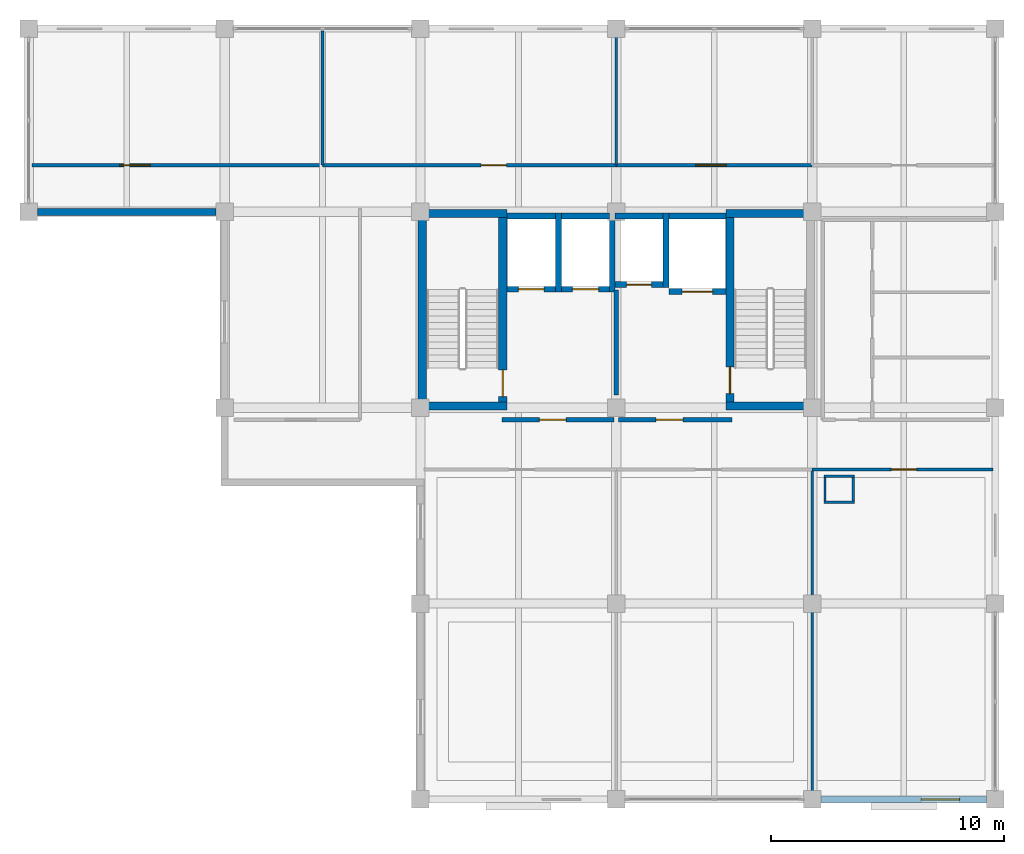
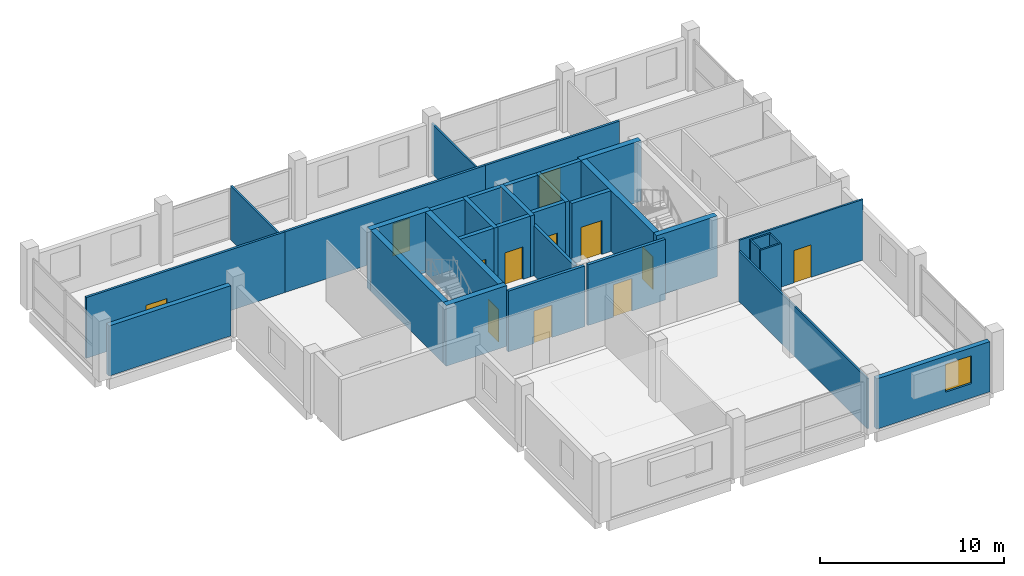
# One storey, part 7 of 9: 34 walls, 12 doors, 1 window, 13 openings.
"""IFC4 building model written with IfcOpenShell, lengths in metres."""

from ifc_helpers import new_model, si_unit, direction, frame, frame_2d, origin, place, context, subcontext, project, spatial, rectangle, extrude, material, layer, layer_set, type_object, element, fill, save


model = new_model("IFC4")

# Units and contexts
model_context = context("Model", 3, precision=1e-05, world=origin(), true_north=direction((0.0, 1.0)))
body_context = subcontext(model_context, "Body", "Model", "MODEL_VIEW")
ifc_project = project(units=[si_unit("LENGTHUNIT", "METRE"), si_unit("AREAUNIT", "SQUARE_METRE"), si_unit("VOLUMEUNIT", "CUBIC_METRE"), si_unit("PLANEANGLEUNIT", "RADIAN"), si_unit("MASSUNIT", "GRAM", prefix="KILO")], contexts=[model_context])

# Site, building, storey
site_placement = place(None, origin())
site = spatial("IfcSite", under=ifc_project, at=site_placement, CompositionType="ELEMENT")
building_placement = place(site_placement, origin())
building = spatial("IfcBuilding", under=site, at=building_placement, Name="Brinegate Botanical Conservatory", CompositionType="ELEMENT")
storey_placement = place(building_placement, frame((0.0, 0.0, 52.800048828125)))
storey = spatial("IfcBuildingStorey", under=building, at=storey_placement, Name="L13", CompositionType="ELEMENT", Elevation=52.800048828125)

# Wall, opening, window
ifc_material_1 = material(Name="Insulated Minnan red clay brick masonry", Category="masonry")
ifc_layer_1 = layer(ifc_material_1, 0.300048828125, Name="Insulated Minnan red clay brick masonry", Category="masonry")
ifc_layer_set_1 = layer_set([ifc_layer_1], Name="Insulated Minnan red clay brick masonry")
wall_type_1 = type_object("IfcWallType", Name="Wall_EW-300B", PredefinedType="STANDARD", material=ifc_layer_set_1)
wall_1_placement = place(storey_placement, frame((163.074951171875, 78.39990234375, 0.0), z_axis=(0.0, 0.0, 1.0), x_axis=(-1.0, 0.0, 0.0)))
wall_1 = element("IfcWall", 1, at=wall_1_placement, inside=storey, type_object=wall_type_1, Name="Tower south facade wall L13.3", PredefinedType="STANDARD", context=body_context, shape_type="SweptSolid", body=[
    extrude(rectangle(XDim=7.099853515625, YDim=0.300048828125, at=frame_2d((3.5498046875, 0.0))), origin(), (0.0, 0.0, 1.0), 3.329833984375),
])
opening_1_placement = place(wall_1_placement, frame((1.14990234375, 0.0, 0.949951171875)))
opening_1 = element("IfcOpeningElement", 2, at=opening_1_placement, cuts=wall_1, Name="Opening WN-27", PredefinedType="OPENING", context=body_context, shape_type="SweptSolid", body=[
    extrude(rectangle(XDim=1.64990234375, YDim=1.85009765625, at=frame_2d((0.824951171875, 0.925048828125))), frame((0.0, 0.159912109375, 0.0), z_axis=(0.0, -1.0, 0.0), x_axis=(1.0, 0.0, 0.0)), (0.0, 0.0, 1.0), 0.320068359375),
])
ifc_material_2 = material(Name="Thermally broken aluminium-framed Low-E glass", Category="aluminium")
window_type = type_object("IfcWindowType", Name="Win_WN-27", PartitioningType="DOUBLE_PANEL_VERTICAL", PredefinedType="WINDOW", material=ifc_material_2)
window_placement = place(opening_1_placement, origin())
window = element("IfcWindow", 3, at=window_placement, inside=storey, type_object=window_type, Name="Tower south window L13.3", OverallHeight=1.85009765625, OverallWidth=1.64990234375, PartitioningType="DOUBLE_PANEL_VERTICAL", PredefinedType="WINDOW", context=body_context, shape_type="SweptSolid", body=[
    extrude(rectangle(XDim=1.64990234375, YDim=1.85009765625, at=frame_2d((0.824951171875, 0.925048828125))), frame((0.0, 0.030029296875, 0.0), z_axis=(0.0, -1.0, 0.0), x_axis=(1.0, 0.0, 0.0)), (0.0, 0.0, 1.0), 0.06005859375),
])
fill(opening_1, window)

# Walls
wall_2_placement = place(storey_placement, frame((130.02490234375, 103.60009765625, 0.0), z_axis=(0.0, 0.0, 1.0), x_axis=(-1.0, 0.0, 0.0)))
element("IfcWall", 4, at=wall_2_placement, inside=storey, type_object=wall_type_1, Name="Tower west setback return wall L13", PredefinedType="STANDARD", context=body_context, shape_type="SweptSolid", body=[
    extrude(rectangle(XDim=7.64990234375, YDim=0.300048828125, at=frame_2d((3.824951171875, 0.0))), origin(), (0.0, 0.0, 1.0), 3.329833984375),
])
ifc_material_3 = material(Name="Gypsum-clad steel-stud fire-rated shaft partition", Category="steel")
ifc_layer_2 = layer(ifc_material_3, 0.10498046875, Name="Gypsum-clad steel-stud fire-rated shaft partition", Category="steel")
ifc_layer_set_2 = layer_set([ifc_layer_2], Name="Gypsum-clad steel-stud fire-rated shaft partition")
wall_type_2 = type_object("IfcWallType", Name="Wall_PW-105", PredefinedType="PARTITIONING", material=ifc_layer_set_2)
for number, where, z_axis, x_axis, name in (
    (5, (156.094970703125, 91.1474609375, 0.0), (0.0, 0.0, 1.0), (1.0, 0.0, 0.0), "Service riser shaft wall L13 S"),
    (6, (156.094970703125, 92.25244140625, 0.0), (0.0, 0.0, 1.0), (1.0, 0.0, 0.0), "Service riser shaft wall L13 N"),
):
    element("IfcWall", number, at=place(storey_placement, frame(where, z_axis=z_axis, x_axis=x_axis)), inside=storey, type_object=wall_type_2, Name=name, PredefinedType="PARTITIONING", context=body_context, shape_type="SweptSolid", body=[
        extrude(rectangle(XDim=1.31005859375, YDim=0.10498046875, at=frame_2d((0.655029296875, 0.0))), origin(), (0.0, 0.0, 1.0), 4.030029296875),
    ])
for number, where, z_axis, x_axis, name in (
    (7, (156.1474609375, 91.199951171875, 0.0), (0.0, 0.0, 1.0), (0.0, 1.0, 0.0), "Service riser shaft wall L13 W"),
    (8, (157.3525390625, 91.199951171875, 0.0), (0.0, 0.0, 1.0), (0.0, 1.0, 0.0), "Service riser shaft wall L13 E"),
):
    element("IfcWall", number, at=place(storey_placement, frame(where, z_axis=z_axis, x_axis=x_axis)), inside=storey, type_object=wall_type_2, Name=name, PredefinedType="PARTITIONING", context=body_context, shape_type="SweptSolid", body=[
        extrude(rectangle(XDim=1.0, YDim=0.10498046875, at=frame_2d((0.5, 0.0))), origin(), (0.0, 0.0, 1.0), 4.030029296875),
    ])
ifc_material_4 = material(Name="Gypsum-clad lightweight partition", Category="gypsum")
ifc_layer_3 = layer(ifc_material_4, 0.112060546875, Name="Gypsum-clad lightweight partition", Category="gypsum")
ifc_layer_set_3 = layer_set([ifc_layer_3], Name="Gypsum-clad lightweight partition")
wall_type_3 = type_object("IfcWallType", Name="Wall_PW-112", PredefinedType="PARTITIONING", material=ifc_layer_set_3)
wall_3_placement = place(storey_placement, frame((134.60009765625, 105.60009765625, 0.0), z_axis=(0.0, 0.0, 1.0), x_axis=(0.0, 1.0, 0.0)))
element("IfcWall", 9, at=wall_3_placement, inside=storey, type_object=wall_type_3, Name="Interior partition P-L13-NDIV-N2", PredefinedType="PARTITIONING", context=body_context, shape_type="SweptSolid", body=[
    extrude(rectangle(XDim=5.75, YDim=0.112060546875, at=frame_2d((2.875, 0.0))), origin(), (0.0, 0.0, 1.0), 3.579833984375),
])
wall_4_placement = place(storey_placement, frame((147.199951171875, 105.60009765625, 0.0), z_axis=(0.0, 0.0, 1.0), x_axis=(0.0, 1.0, 0.0)))
element("IfcWall", 10, at=wall_4_placement, inside=storey, type_object=wall_type_3, Name="Interior partition P-L13-NDIV-N3", PredefinedType="PARTITIONING", context=body_context, shape_type="SweptSolid", body=[
    extrude(rectangle(XDim=5.75, YDim=0.112060546875, at=frame_2d((2.875, 0.0))), origin(), (0.0, 0.0, 1.0), 3.329833984375),
])

# Wall, opening, door
wall_5_placement = place(storey_placement, frame((155.60009765625, 92.550048828125, 0.0), z_axis=(0.0, 0.0, 1.0), x_axis=(1.0, 0.0, 0.0)))
wall_5 = element("IfcWall", 11, at=wall_5_placement, inside=storey, type_object=wall_type_3, Name="Interior partition P-L13-SB-S3", PredefinedType="PARTITIONING", context=body_context, shape_type="SweptSolid", body=[
    extrude(rectangle(XDim=7.75, YDim=0.112060546875, at=frame_2d((3.875, 0.0))), origin(), (0.0, 0.0, 1.0), 4.030029296875),
])
opening_2_placement = place(wall_5_placement, frame((3.39990234375, 0.0, 0.0)))
opening_2 = element("IfcOpeningElement", 12, at=opening_2_placement, cuts=wall_5, Name="Opening DR-01", PredefinedType="OPENING", context=body_context, shape_type="SweptSolid", body=[
    extrude(rectangle(XDim=1.080078125, YDim=2.14990234375, at=frame_2d((0.5400390625, 1.074951171875))), frame((0.0, 0.06591796875, 0.0), z_axis=(0.0, -1.0, 0.0), x_axis=(1.0, 0.0, 0.0)), (0.0, 0.0, 1.0), 0.132080078125),
])
ifc_material_5 = material(Name="Hardwood timber acoustic leaf", Category="wood")
door_type_1 = type_object("IfcDoorType", Name="Door_DR-01", OperationType="NOTDEFINED", PredefinedType="DOOR", material=ifc_material_5)
door_1_placement = place(opening_2_placement, origin())
door_1 = element("IfcDoor", 13, at=door_1_placement, inside=storey, type_object=door_type_1, Name="DR-P-L13-SB-S3-1", OperationType="SINGLE_SWING_RIGHT", OverallHeight=2.14990234375, OverallWidth=1.080078125, PredefinedType="DOOR", context=body_context, shape_type="SweptSolid", body=[
    extrude(rectangle(XDim=1.080078125, YDim=2.14990234375, at=frame_2d((0.5400390625, 1.074951171875))), frame((0.0, 0.02490234375, 0.0), z_axis=(0.0, -1.0, 0.0), x_axis=(1.0, 0.0, 0.0)), (0.0, 0.0, 1.0), 0.050048828125),
])
fill(opening_2, door_1)

# Wall
wall_6_placement = place(storey_placement, frame((155.60009765625, 78.550048828125, 0.0), z_axis=(0.0, 0.0, 1.0), x_axis=(0.0, 1.0, 0.0)))
element("IfcWall", 14, at=wall_6_placement, inside=storey, type_object=wall_type_3, Name="Interior partition P-L13-SDIV-S3", PredefinedType="PARTITIONING", context=body_context, shape_type="SweptSolid", body=[
    extrude(rectangle(XDim=14.0, YDim=0.112060546875, at=frame_2d((7.0, 0.0))), origin(), (0.0, 0.0, 1.0), 3.329833984375),
])

# Wall, opening, door
ifc_material_6 = material(Name="Gypsum-clad acoustic steel-stud partition", Category="steel")
ifc_layer_4 = layer(ifc_material_6, 0.14501953125, Name="Gypsum-clad acoustic steel-stud partition", Category="steel")
ifc_layer_set_4 = layer_set([ifc_layer_4], Name="Gypsum-clad acoustic steel-stud partition")
wall_type_4 = type_object("IfcWallType", Name="Wall_PW-150", PredefinedType="PARTITIONING", material=ifc_layer_set_4)
wall_7_placement = place(storey_placement, frame((122.14990234375, 105.60009765625, 0.0), z_axis=(0.0, 0.0, 1.0), x_axis=(1.0, 0.0, 0.0)))
wall_7 = element("IfcWall", 15, at=wall_7_placement, inside=storey, type_object=wall_type_4, Name="Interior partition P-L13-NB-N1", PredefinedType="PARTITIONING", context=body_context, shape_type="SweptSolid", body=[
    extrude(rectangle(XDim=12.4501953125, YDim=0.14501953125, at=frame_2d((6.22509765625, 0.0))), origin(), (0.0, 0.0, 1.0), 4.030029296875),
])
opening_3_placement = place(wall_7_placement, frame((3.75, 0.0, 0.0)))
opening_3 = element("IfcOpeningElement", 16, at=opening_3_placement, cuts=wall_7, Name="Opening DR-08", PredefinedType="OPENING", context=body_context, shape_type="SweptSolid", body=[
    extrude(rectangle(XDim=1.320068359375, YDim=2.199951171875, at=frame_2d((0.66015625, 1.10009765625))), frame((0.0, 0.08251953125, 0.0), z_axis=(0.0, -1.0, 0.0), x_axis=(1.0, 0.0, 0.0)), (0.0, 0.0, 1.0), 0.1650390625),
])
ifc_material_7 = material(Name="Powder-coated steel wide lab door", Category="steel")
door_type_2 = type_object("IfcDoorType", Name="Door_DR-08", OperationType="NOTDEFINED", PredefinedType="DOOR", material=ifc_material_7)
door_2_placement = place(opening_3_placement, origin())
door_2 = element("IfcDoor", 17, at=door_2_placement, inside=storey, type_object=door_type_2, Name="DR-P-L13-NB-N1-1", OperationType="SINGLE_SWING_LEFT", OverallHeight=2.199951171875, OverallWidth=1.320068359375, PredefinedType="DOOR", context=body_context, shape_type="SweptSolid", body=[
    extrude(rectangle(XDim=1.320068359375, YDim=2.199951171875, at=frame_2d((0.66015625, 1.10009765625))), frame((0.0, 0.02490234375, 0.0), z_axis=(0.0, -1.0, 0.0), x_axis=(1.0, 0.0, 0.0)), (0.0, 0.0, 1.0), 0.050048828125),
])
fill(opening_3, door_2)

wall_8_placement = place(storey_placement, frame((134.60009765625, 105.60009765625, 0.0), z_axis=(0.0, 0.0, 1.0), x_axis=(1.0, 0.0, 0.0)))
wall_8 = element("IfcWall", 18, at=wall_8_placement, inside=storey, type_object=wall_type_4, Name="Interior partition P-L13-NB-N2", PredefinedType="PARTITIONING", context=body_context, shape_type="SweptSolid", body=[
    extrude(rectangle(XDim=12.599853515625, YDim=0.14501953125, at=frame_2d((6.2998046875, 0.0))), origin(), (0.0, 0.0, 1.0), 4.030029296875),
])
opening_4_placement = place(wall_8_placement, frame((6.800048828125, 0.0, 0.0)))
opening_4 = element("IfcOpeningElement", 19, at=opening_4_placement, cuts=wall_8, Name="Opening DR-01", PredefinedType="OPENING", context=body_context, shape_type="SweptSolid", body=[
    extrude(rectangle(XDim=1.080078125, YDim=2.14990234375, at=frame_2d((0.5400390625, 1.074951171875))), frame((0.0, 0.08251953125, 0.0), z_axis=(0.0, -1.0, 0.0), x_axis=(1.0, 0.0, 0.0)), (0.0, 0.0, 1.0), 0.1650390625),
])
door_3_placement = place(opening_4_placement, origin())
door_3 = element("IfcDoor", 20, at=door_3_placement, inside=storey, type_object=door_type_1, Name="DR-P-L13-NB-N2-1", OperationType="SINGLE_SWING_RIGHT", OverallHeight=2.14990234375, OverallWidth=1.080078125, PredefinedType="DOOR", context=body_context, shape_type="SweptSolid", body=[
    extrude(rectangle(XDim=1.080078125, YDim=2.14990234375, at=frame_2d((0.5400390625, 1.074951171875))), frame((0.0, 0.02490234375, 0.0), z_axis=(0.0, -1.0, 0.0), x_axis=(1.0, 0.0, 0.0)), (0.0, 0.0, 1.0), 0.050048828125),
])
fill(opening_4, door_3)

wall_9_placement = place(storey_placement, frame((147.199951171875, 105.60009765625, 0.0), z_axis=(0.0, 0.0, 1.0), x_axis=(1.0, 0.0, 0.0)))
wall_9 = element("IfcWall", 21, at=wall_9_placement, inside=storey, type_object=wall_type_4, Name="Interior partition P-L13-NB-N3", PredefinedType="PARTITIONING", context=body_context, shape_type="SweptSolid", body=[
    extrude(rectangle(XDim=8.400146484375, YDim=0.14501953125, at=frame_2d((4.2001953125, 0.0))), origin(), (0.0, 0.0, 1.0), 4.030029296875),
])
opening_5_placement = place(wall_9_placement, frame((3.39990234375, 0.0, 0.0)))
opening_5 = element("IfcOpeningElement", 22, at=opening_5_placement, cuts=wall_9, Name="Opening DR-08", PredefinedType="OPENING", context=body_context, shape_type="SweptSolid", body=[
    extrude(rectangle(XDim=1.320068359375, YDim=2.199951171875, at=frame_2d((0.66015625, 1.10009765625))), frame((0.0, 0.08251953125, 0.0), z_axis=(0.0, -1.0, 0.0), x_axis=(1.0, 0.0, 0.0)), (0.0, 0.0, 1.0), 0.1650390625),
])
door_4_placement = place(opening_5_placement, origin())
door_4 = element("IfcDoor", 23, at=door_4_placement, inside=storey, type_object=door_type_2, Name="DR-P-L13-NB-N3-1", OperationType="SINGLE_SWING_LEFT", OverallHeight=2.199951171875, OverallWidth=1.320068359375, PredefinedType="DOOR", context=body_context, shape_type="SweptSolid", body=[
    extrude(rectangle(XDim=1.320068359375, YDim=2.199951171875, at=frame_2d((0.66015625, 1.10009765625))), frame((0.0, 0.02490234375, 0.0), z_axis=(0.0, -1.0, 0.0), x_axis=(1.0, 0.0, 0.0)), (0.0, 0.0, 1.0), 0.050048828125),
])
fill(opening_5, door_4)

ifc_material_8 = material(Name="Autoclaved aerated concrete C40/50 blockwork", Category="masonry")
ifc_layer_5 = layer(ifc_material_8, 0.179931640625, Name="Autoclaved aerated concrete C40/50 blockwork", Category="masonry")
ifc_layer_set_5 = layer_set([ifc_layer_5], Name="Autoclaved aerated concrete C40/50 blockwork")
wall_type_5 = type_object("IfcWallType", Name="Wall_PW-180F", PredefinedType="STANDARD", material=ifc_layer_set_5)
wall_10_placement = place(storey_placement, frame((142.300048828125, 94.679931640625, 0.0), z_axis=(0.0, 0.0, 1.0), x_axis=(1.0, 0.0, 0.0)))
wall_10 = element("IfcWall", 24, at=wall_10_placement, inside=storey, type_object=wall_type_5, Name="Interior partition P-L13-CORE-FF", PredefinedType="STANDARD", context=body_context, shape_type="SweptSolid", body=[
    extrude(rectangle(XDim=4.800048828125, YDim=0.179931640625, at=frame_2d((2.39990234375, 0.0))), origin(), (0.0, 0.0, 1.0), 4.030029296875),
])
opening_6_placement = place(wall_10_placement, frame((1.60009765625, 0.0, 0.0)))
opening_6 = element("IfcOpeningElement", 25, at=opening_6_placement, cuts=wall_10, Name="Opening FD-B1", PredefinedType="OPENING", context=body_context, shape_type="SweptSolid", body=[
    extrude(rectangle(XDim=1.14990234375, YDim=2.14990234375, at=frame_2d((0.574951171875, 1.074951171875))), frame((0.0, 0.099853515625, 0.0), z_axis=(0.0, -1.0, 0.0), x_axis=(1.0, 0.0, 0.0)), (0.0, 0.0, 1.0), 0.199951171875),
])
ifc_material_9 = material(Name="Steel smoke-proof fire door assembly", Category="steel")
door_type_3 = type_object("IfcDoorType", Name="Door_FD-B1", OperationType="NOTDEFINED", PredefinedType="DOOR", material=ifc_material_9)
door_5_placement = place(opening_6_placement, origin())
door_5 = element("IfcDoor", 26, at=door_5_placement, inside=storey, type_object=door_type_3, Name="DR-P-L13-CORE-FF-1", OperationType="SINGLE_SWING_LEFT", OverallHeight=2.14990234375, OverallWidth=1.14990234375, PredefinedType="DOOR", context=body_context, shape_type="SweptSolid", body=[
    extrude(rectangle(XDim=1.14990234375, YDim=2.14990234375, at=frame_2d((0.574951171875, 1.074951171875))), frame((0.0, 0.02490234375, 0.0), z_axis=(0.0, -1.0, 0.0), x_axis=(1.0, 0.0, 0.0)), (0.0, 0.0, 1.0), 0.050048828125),
])
fill(opening_6, door_5)

wall_11_placement = place(storey_placement, frame((147.300048828125, 94.679931640625, 0.0), z_axis=(0.0, 0.0, 1.0), x_axis=(1.0, 0.0, 0.0)))
wall_11 = element("IfcWall", 27, at=wall_11_placement, inside=storey, type_object=wall_type_5, Name="Interior partition P-L13-CORE-PAX", PredefinedType="STANDARD", context=body_context, shape_type="SweptSolid", body=[
    extrude(rectangle(XDim=4.849853515625, YDim=0.179931640625, at=frame_2d((2.4248046875, 0.0))), origin(), (0.0, 0.0, 1.0), 4.030029296875),
])
opening_7_placement = place(wall_11_placement, frame((1.60009765625, 0.0, 0.0)))
opening_7 = element("IfcOpeningElement", 28, at=opening_7_placement, cuts=wall_11, Name="Opening FD-B1", PredefinedType="OPENING", context=body_context, shape_type="SweptSolid", body=[
    extrude(rectangle(XDim=1.14990234375, YDim=2.14990234375, at=frame_2d((0.574951171875, 1.074951171875))), frame((0.0, 0.099853515625, 0.0), z_axis=(0.0, -1.0, 0.0), x_axis=(1.0, 0.0, 0.0)), (0.0, 0.0, 1.0), 0.199951171875),
])
door_6_placement = place(opening_7_placement, origin())
door_6 = element("IfcDoor", 29, at=door_6_placement, inside=storey, type_object=door_type_3, Name="DR-P-L13-CORE-PAX-1", OperationType="SINGLE_SWING_RIGHT", OverallHeight=2.14990234375, OverallWidth=1.14990234375, PredefinedType="DOOR", context=body_context, shape_type="SweptSolid", body=[
    extrude(rectangle(XDim=1.14990234375, YDim=2.14990234375, at=frame_2d((0.574951171875, 1.074951171875))), frame((0.0, 0.02490234375, 0.0), z_axis=(0.0, -1.0, 0.0), x_axis=(1.0, 0.0, 0.0)), (0.0, 0.0, 1.0), 0.050048828125),
])
fill(opening_7, door_6)

# Wall
wall_12_placement = place(storey_placement, frame((147.199951171875, 95.75, 0.0), z_axis=(0.0, 0.0, 1.0), x_axis=(0.0, 1.0, 0.0)))
element("IfcWall", 30, at=wall_12_placement, inside=storey, type_object=wall_type_5, Name="Interior partition P-L13-CORE-DIV", PredefinedType="STANDARD", context=body_context, shape_type="SweptSolid", body=[
    extrude(rectangle(XDim=4.5, YDim=0.179931640625, at=frame_2d((2.25, 0.0))), origin(), (0.0, 0.0, 1.0), 3.329833984375),
])

# Wall, opening, door
ifc_material_10 = material(Name="Concrete C40/50", Category="concrete")
ifc_layer_6 = layer(ifc_material_10, 0.25, Name="Concrete C40/50", Category="concrete")
ifc_layer_set_6 = layer_set([ifc_layer_6], Name="Concrete C40/50")
wall_type_6 = type_object("IfcWallType", Name="Wall_SW-250", PredefinedType="SHEAR", material=ifc_layer_set_6)
wall_13_placement = place(storey_placement, frame((142.5, 100.27490234375, 0.0), z_axis=(0.0, 0.0, 1.0), x_axis=(1.0, 0.0, 0.0)))
wall_13 = element("IfcWall", 31, at=wall_13_placement, inside=storey, type_object=wall_type_6, Name="Lift shaft LF1 shear wall L13 S", PredefinedType="SHEAR", context=body_context, shape_type="SweptSolid", body=[
    extrude(rectangle(XDim=2.10009765625, YDim=0.25, at=frame_2d((1.050048828125, 0.0))), origin(), (0.0, 0.0, 1.0), 4.030029296875),
])
opening_8_placement = place(wall_13_placement, frame((0.5, 0.0, 0.0)))
opening_8 = element("IfcOpeningElement", 32, at=opening_8_placement, cuts=wall_13, Name="Opening LD-01", PredefinedType="OPENING", context=body_context, shape_type="SweptSolid", body=[
    extrude(rectangle(XDim=1.10009765625, YDim=2.14990234375, at=frame_2d((0.550048828125, 1.074951171875))), frame((0.0, 0.135009765625, 0.0), z_axis=(0.0, -1.0, 0.0), x_axis=(1.0, 0.0, 0.0)), (0.0, 0.0, 1.0), 0.27001953125),
])
ifc_material_11 = material(Name="Brushed stainless steel S355 landing door", Category="steel")
door_type_4 = type_object("IfcDoorType", Name="Door_LD-01", OperationType="SLIDING_TO_LEFT", PredefinedType="DOOR", material=ifc_material_11)
door_7_placement = place(opening_8_placement, origin())
door_7 = element("IfcDoor", 33, at=door_7_placement, inside=storey, type_object=door_type_4, Name="LD-LF1-L13", OperationType="SLIDING_TO_LEFT", OverallHeight=2.14990234375, OverallWidth=1.10009765625, PredefinedType="DOOR", context=body_context, shape_type="SweptSolid", body=[
    extrude(rectangle(XDim=1.10009765625, YDim=2.14990234375, at=frame_2d((0.550048828125, 1.074951171875))), frame((0.0, 0.02490234375, 0.0), z_axis=(0.0, -1.0, 0.0), x_axis=(1.0, 0.0, 0.0)), (0.0, 0.0, 1.0), 0.050048828125),
])
fill(opening_8, door_7)

# Walls
wall_14_placement = place(storey_placement, frame((142.5, 103.425048828125, 0.0), z_axis=(0.0, 0.0, 1.0), x_axis=(1.0, 0.0, 0.0)))
element("IfcWall", 34, at=wall_14_placement, inside=storey, type_object=wall_type_6, Name="Lift shaft LF1 shear wall L13 N", PredefinedType="SHEAR", context=body_context, shape_type="SweptSolid", body=[
    extrude(rectangle(XDim=2.10009765625, YDim=0.25, at=frame_2d((1.050048828125, 0.0))), origin(), (0.0, 0.0, 1.0), 4.030029296875),
])
wall_15_placement = place(storey_placement, frame((144.72509765625, 100.14990234375, 0.0), z_axis=(0.0, 0.0, 1.0), x_axis=(0.0, 1.0, 0.0)))
element("IfcWall", 35, at=wall_15_placement, inside=storey, type_object=wall_type_6, Name="Lift shaft LF1 shear wall L13 E", PredefinedType="SHEAR", context=body_context, shape_type="SweptSolid", body=[
    extrude(rectangle(XDim=3.400146484375, YDim=0.25, at=frame_2d((1.7001953125, 0.0))), origin(), (0.0, 0.0, 1.0), 4.030029296875),
])

# Wall, opening, door
wall_16_placement = place(storey_placement, frame((144.85009765625, 100.27490234375, 0.0), z_axis=(0.0, 0.0, 1.0), x_axis=(1.0, 0.0, 0.0)))
wall_16 = element("IfcWall", 36, at=wall_16_placement, inside=storey, type_object=wall_type_6, Name="Lift shaft LF2 shear wall L13 S", PredefinedType="SHEAR", context=body_context, shape_type="SweptSolid", body=[
    extrude(rectangle(XDim=2.0498046875, YDim=0.25, at=frame_2d((1.02490234375, 0.0))), origin(), (0.0, 0.0, 1.0), 4.030029296875),
])
opening_9_placement = place(wall_16_placement, frame((0.465087890625, 0.0, 0.0)))
opening_9 = element("IfcOpeningElement", 37, at=opening_9_placement, cuts=wall_16, Name="Opening LD-02", PredefinedType="OPENING", context=body_context, shape_type="SweptSolid", body=[
    extrude(rectangle(XDim=1.1201171875, YDim=2.14990234375, at=frame_2d((0.56005859375, 1.074951171875))), frame((0.0, 0.135009765625, 0.0), z_axis=(0.0, -1.0, 0.0), x_axis=(1.0, 0.0, 0.0)), (0.0, 0.0, 1.0), 0.27001953125),
])
door_type_5 = type_object("IfcDoorType", Name="Door_LD-02", OperationType="SLIDING_TO_LEFT", PredefinedType="DOOR", material=ifc_material_11)
door_8_placement = place(opening_9_placement, origin())
door_8 = element("IfcDoor", 38, at=door_8_placement, inside=storey, type_object=door_type_5, Name="LD-LF2-L13", OperationType="SLIDING_TO_LEFT", OverallHeight=2.14990234375, OverallWidth=1.1201171875, PredefinedType="DOOR", context=body_context, shape_type="SweptSolid", body=[
    extrude(rectangle(XDim=1.1201171875, YDim=2.14990234375, at=frame_2d((0.56005859375, 1.074951171875))), frame((0.0, 0.02490234375, 0.0), z_axis=(0.0, -1.0, 0.0), x_axis=(1.0, 0.0, 0.0)), (0.0, 0.0, 1.0), 0.050048828125),
])
fill(opening_9, door_8)

# Walls
wall_17_placement = place(storey_placement, frame((144.85009765625, 103.425048828125, 0.0), z_axis=(0.0, 0.0, 1.0), x_axis=(1.0, 0.0, 0.0)))
element("IfcWall", 39, at=wall_17_placement, inside=storey, type_object=wall_type_6, Name="Lift shaft LF2 shear wall L13 N", PredefinedType="SHEAR", context=body_context, shape_type="SweptSolid", body=[
    extrude(rectangle(XDim=2.0498046875, YDim=0.25, at=frame_2d((1.02490234375, 0.0))), origin(), (0.0, 0.0, 1.0), 4.030029296875),
])
wall_18_placement = place(storey_placement, frame((147.02490234375, 100.14990234375, 0.0), z_axis=(0.0, 0.0, 1.0), x_axis=(0.0, 1.0, 0.0)))
element("IfcWall", 40, at=wall_18_placement, inside=storey, type_object=wall_type_6, Name="Lift shaft LF2 shear wall L13 E", PredefinedType="SHEAR", context=body_context, shape_type="SweptSolid", body=[
    extrude(rectangle(XDim=3.400146484375, YDim=0.25, at=frame_2d((1.7001953125, 0.0))), origin(), (0.0, 0.0, 1.0), 4.030029296875),
])

# Wall, opening, door
wall_19_placement = place(storey_placement, frame((147.14990234375, 100.47509765625, 0.0), z_axis=(0.0, 0.0, 1.0), x_axis=(1.0, 0.0, 0.0)))
wall_19 = element("IfcWall", 41, at=wall_19_placement, inside=storey, type_object=wall_type_6, Name="Lift shaft LF3 shear wall L13 S", PredefinedType="SHEAR", context=body_context, shape_type="SweptSolid", body=[
    extrude(rectangle(XDim=2.050048828125, YDim=0.25, at=frame_2d((1.02490234375, 0.0))), origin(), (0.0, 0.0, 1.0), 4.030029296875),
])
opening_10_placement = place(wall_19_placement, frame((0.4951171875, 0.0, 0.0)))
opening_10 = element("IfcOpeningElement", 42, at=opening_10_placement, cuts=wall_19, Name="Opening LD-03", PredefinedType="OPENING", context=body_context, shape_type="SweptSolid", body=[
    extrude(rectangle(XDim=1.06005859375, YDim=2.14990234375, at=frame_2d((0.530029296875, 1.074951171875))), frame((0.0, 0.135009765625, 0.0), z_axis=(0.0, -1.0, 0.0), x_axis=(1.0, 0.0, 0.0)), (0.0, 0.0, 1.0), 0.27001953125),
])
door_type_6 = type_object("IfcDoorType", Name="Door_LD-03", OperationType="SLIDING_TO_LEFT", PredefinedType="DOOR", material=ifc_material_11)
door_9_placement = place(opening_10_placement, origin())
door_9 = element("IfcDoor", 43, at=door_9_placement, inside=storey, type_object=door_type_6, Name="LD-LF3-L13", OperationType="SLIDING_TO_LEFT", OverallHeight=2.14990234375, OverallWidth=1.06005859375, PredefinedType="DOOR", context=body_context, shape_type="SweptSolid", body=[
    extrude(rectangle(XDim=1.06005859375, YDim=2.14990234375, at=frame_2d((0.530029296875, 1.074951171875))), frame((0.0, 0.02490234375, 0.0), z_axis=(0.0, -1.0, 0.0), x_axis=(1.0, 0.0, 0.0)), (0.0, 0.0, 1.0), 0.050048828125),
])
fill(opening_10, door_9)

# Walls
wall_20_placement = place(storey_placement, frame((147.14990234375, 103.425048828125, 0.0), z_axis=(0.0, 0.0, 1.0), x_axis=(1.0, 0.0, 0.0)))
element("IfcWall", 44, at=wall_20_placement, inside=storey, type_object=wall_type_6, Name="Lift shaft LF3 shear wall L13 N", PredefinedType="SHEAR", context=body_context, shape_type="SweptSolid", body=[
    extrude(rectangle(XDim=2.050048828125, YDim=0.25, at=frame_2d((1.02490234375, 0.0))), origin(), (0.0, 0.0, 1.0), 4.030029296875),
])
wall_21_placement = place(storey_placement, frame((149.324951171875, 100.35009765625, 0.0), z_axis=(0.0, 0.0, 1.0), x_axis=(0.0, 1.0, 0.0)))
element("IfcWall", 45, at=wall_21_placement, inside=storey, type_object=wall_type_6, Name="Lift shaft LF3 shear wall L13 E", PredefinedType="SHEAR", context=body_context, shape_type="SweptSolid", body=[
    extrude(rectangle(XDim=3.199951171875, YDim=0.25, at=frame_2d((1.60009765625, 0.0))), origin(), (0.0, 0.0, 1.0), 4.030029296875),
])

# Wall, opening, door
wall_22_placement = place(storey_placement, frame((149.449951171875, 100.175048828125, 0.0), z_axis=(0.0, 0.0, 1.0), x_axis=(1.0, 0.0, 0.0)))
wall_22 = element("IfcWall", 46, at=wall_22_placement, inside=storey, type_object=wall_type_6, Name="Lift shaft LF4 shear wall L13 S", PredefinedType="SHEAR", context=body_context, shape_type="SweptSolid", body=[
    extrude(rectangle(XDim=2.449951171875, YDim=0.25, at=frame_2d((1.22509765625, 0.0))), origin(), (0.0, 0.0, 1.0), 4.030029296875),
])
opening_11_placement = place(wall_22_placement, frame((0.574951171875, 0.0, 0.0)))
opening_11 = element("IfcOpeningElement", 47, at=opening_11_placement, cuts=wall_22, Name="Opening LD-04", PredefinedType="OPENING", context=body_context, shape_type="SweptSolid", body=[
    extrude(rectangle(XDim=1.300048828125, YDim=2.25, at=frame_2d((0.64990234375, 1.125))), frame((0.0, 0.135009765625, 0.0), z_axis=(0.0, -1.0, 0.0), x_axis=(1.0, 0.0, 0.0)), (0.0, 0.0, 1.0), 0.27001953125),
])
door_type_7 = type_object("IfcDoorType", Name="Door_LD-04", OperationType="SLIDING_TO_LEFT", PredefinedType="DOOR", material=ifc_material_11)
door_10_placement = place(opening_11_placement, origin())
door_10 = element("IfcDoor", 48, at=door_10_placement, inside=storey, type_object=door_type_7, Name="LD-LF4-L13", OperationType="SLIDING_TO_LEFT", OverallHeight=2.25, OverallWidth=1.300048828125, PredefinedType="DOOR", context=body_context, shape_type="SweptSolid", body=[
    extrude(rectangle(XDim=1.300048828125, YDim=2.25, at=frame_2d((0.64990234375, 1.125))), frame((0.0, 0.02490234375, 0.0), z_axis=(0.0, -1.0, 0.0), x_axis=(1.0, 0.0, 0.0)), (0.0, 0.0, 1.0), 0.050048828125),
])
fill(opening_11, door_10)

# Walls
wall_23_placement = place(storey_placement, frame((149.449951171875, 103.425048828125, 0.0), z_axis=(0.0, 0.0, 1.0), x_axis=(1.0, 0.0, 0.0)))
element("IfcWall", 49, at=wall_23_placement, inside=storey, type_object=wall_type_6, Name="Lift shaft LF4 shear wall L13 N", PredefinedType="SHEAR", context=body_context, shape_type="SweptSolid", body=[
    extrude(rectangle(XDim=2.449951171875, YDim=0.25, at=frame_2d((1.22509765625, 0.0))), origin(), (0.0, 0.0, 1.0), 4.030029296875),
])
ifc_layer_7 = layer(ifc_material_10, 0.35009765625, Name="Concrete C40/50", Category="concrete")
ifc_layer_set_7 = layer_set([ifc_layer_7], Name="Concrete C40/50")
wall_type_7 = type_object("IfcWallType", Name="Wall_SW-350", PredefinedType="SHEAR", material=ifc_layer_set_7)
for number, where, z_axis, x_axis, name in (
    (50, (138.699951171875, 95.27490234375, 0.0), (0.0, 0.0, 1.0), (1.0, 0.0, 0.0), "Stairwell ST1 shear wall L13 S"),
    (51, (138.699951171875, 103.52490234375, 0.0), (0.0, 0.0, 1.0), (1.0, 0.0, 0.0), "Stairwell ST1 shear wall L13 N"),
):
    element("IfcWall", number, at=place(storey_placement, frame(where, z_axis=z_axis, x_axis=x_axis)), inside=storey, type_object=wall_type_7, Name=name, PredefinedType="SHEAR", context=body_context, shape_type="SweptSolid", body=[
        extrude(rectangle(XDim=3.800048828125, YDim=0.35009765625, at=frame_2d((1.89990234375, 0.0))), origin(), (0.0, 0.0, 1.0), 4.030029296875),
    ])
wall_24_placement = place(storey_placement, frame((138.875, 95.449951171875, 0.0), z_axis=(0.0, 0.0, 1.0), x_axis=(0.0, 1.0, 0.0)))
element("IfcWall", 52, at=wall_24_placement, inside=storey, type_object=wall_type_7, Name="Stairwell ST1 shear wall L13 W", PredefinedType="SHEAR", context=body_context, shape_type="SweptSolid", body=[
    extrude(rectangle(XDim=7.900146484375, YDim=0.35009765625, at=frame_2d((3.9501953125, 0.0))), origin(), (0.0, 0.0, 1.0), 4.030029296875),
])

# Wall, opening, door
wall_25_placement = place(storey_placement, frame((142.324951171875, 95.449951171875, 0.0), z_axis=(0.0, 0.0, 1.0), x_axis=(0.0, 1.0, 0.0)))
wall_25 = element("IfcWall", 53, at=wall_25_placement, inside=storey, type_object=wall_type_7, Name="Stairwell ST1 shear wall L13 E", PredefinedType="SHEAR", context=body_context, shape_type="SweptSolid", body=[
    extrude(rectangle(XDim=7.900146484375, YDim=0.35009765625, at=frame_2d((3.9501953125, 0.0))), origin(), (0.0, 0.0, 1.0), 4.030029296875),
])
opening_12_placement = place(wall_25_placement, frame((0.219970703125, 0.0, 0.0)))
opening_12 = element("IfcOpeningElement", 54, at=opening_12_placement, cuts=wall_25, Name="Opening FD-B1", PredefinedType="OPENING", context=body_context, shape_type="SweptSolid", body=[
    extrude(rectangle(XDim=1.14990234375, YDim=2.14990234375, at=frame_2d((0.574951171875, 1.074951171875))), frame((0.0, 0.18505859375, 0.0), z_axis=(0.0, -1.0, 0.0), x_axis=(1.0, 0.0, 0.0)), (0.0, 0.0, 1.0), 0.3701171875),
])
door_11_placement = place(opening_12_placement, origin())
door_11 = element("IfcDoor", 55, at=door_11_placement, inside=storey, type_object=door_type_3, Name="DR-ST-ST1-L13", OperationType="SINGLE_SWING_LEFT", OverallHeight=2.14990234375, OverallWidth=1.14990234375, PredefinedType="DOOR", context=body_context, shape_type="SweptSolid", body=[
    extrude(rectangle(XDim=1.14990234375, YDim=2.14990234375, at=frame_2d((0.574951171875, 1.074951171875))), frame((0.0, 0.02490234375, 0.0), z_axis=(0.0, -1.0, 0.0), x_axis=(1.0, 0.0, 0.0)), (0.0, 0.0, 1.0), 0.050048828125),
])
fill(opening_12, door_11)

# Walls
for number, where, z_axis, x_axis, name in (
    (56, (151.89990234375, 95.27490234375, 0.0), (0.0, 0.0, 1.0), (1.0, 0.0, 0.0), "Stairwell ST2 shear wall L13 S"),
    (57, (151.89990234375, 103.52490234375, 0.0), (0.0, 0.0, 1.0), (1.0, 0.0, 0.0), "Stairwell ST2 shear wall L13 N"),
):
    element("IfcWall", number, at=place(storey_placement, frame(where, z_axis=z_axis, x_axis=x_axis)), inside=storey, type_object=wall_type_7, Name=name, PredefinedType="SHEAR", context=body_context, shape_type="SweptSolid", body=[
        extrude(rectangle(XDim=3.800048828125, YDim=0.35009765625, at=frame_2d((1.89990234375, 0.0))), origin(), (0.0, 0.0, 1.0), 4.030029296875),
    ])

# Wall, opening, door
wall_26_placement = place(storey_placement, frame((152.074951171875, 95.449951171875, 0.0), z_axis=(0.0, 0.0, 1.0), x_axis=(0.0, 1.0, 0.0)))
wall_26 = element("IfcWall", 58, at=wall_26_placement, inside=storey, type_object=wall_type_7, Name="Stairwell ST2 shear wall L13 W", PredefinedType="SHEAR", context=body_context, shape_type="SweptSolid", body=[
    extrude(rectangle(XDim=7.900146484375, YDim=0.35009765625, at=frame_2d((3.9501953125, 0.0))), origin(), (0.0, 0.0, 1.0), 4.030029296875),
])
opening_13_placement = place(wall_26_placement, frame((0.35009765625, 0.0, 0.0)))
opening_13 = element("IfcOpeningElement", 59, at=opening_13_placement, cuts=wall_26, Name="Opening FD-B1", PredefinedType="OPENING", context=body_context, shape_type="SweptSolid", body=[
    extrude(rectangle(XDim=1.14990234375, YDim=2.14990234375, at=frame_2d((0.574951171875, 1.074951171875))), frame((0.0, 0.18505859375, 0.0), z_axis=(0.0, -1.0, 0.0), x_axis=(1.0, 0.0, 0.0)), (0.0, 0.0, 1.0), 0.3701171875),
])
door_12_placement = place(opening_13_placement, origin())
door_12 = element("IfcDoor", 60, at=door_12_placement, inside=storey, type_object=door_type_3, Name="DR-ST-ST2-L13", OperationType="SINGLE_SWING_LEFT", OverallHeight=2.14990234375, OverallWidth=1.14990234375, PredefinedType="DOOR", context=body_context, shape_type="SweptSolid", body=[
    extrude(rectangle(XDim=1.14990234375, YDim=2.14990234375, at=frame_2d((0.574951171875, 1.074951171875))), frame((0.0, 0.02490234375, 0.0), z_axis=(0.0, -1.0, 0.0), x_axis=(1.0, 0.0, 0.0)), (0.0, 0.0, 1.0), 0.050048828125),
])
fill(opening_13, door_12)

save(model, "model.ifc")
